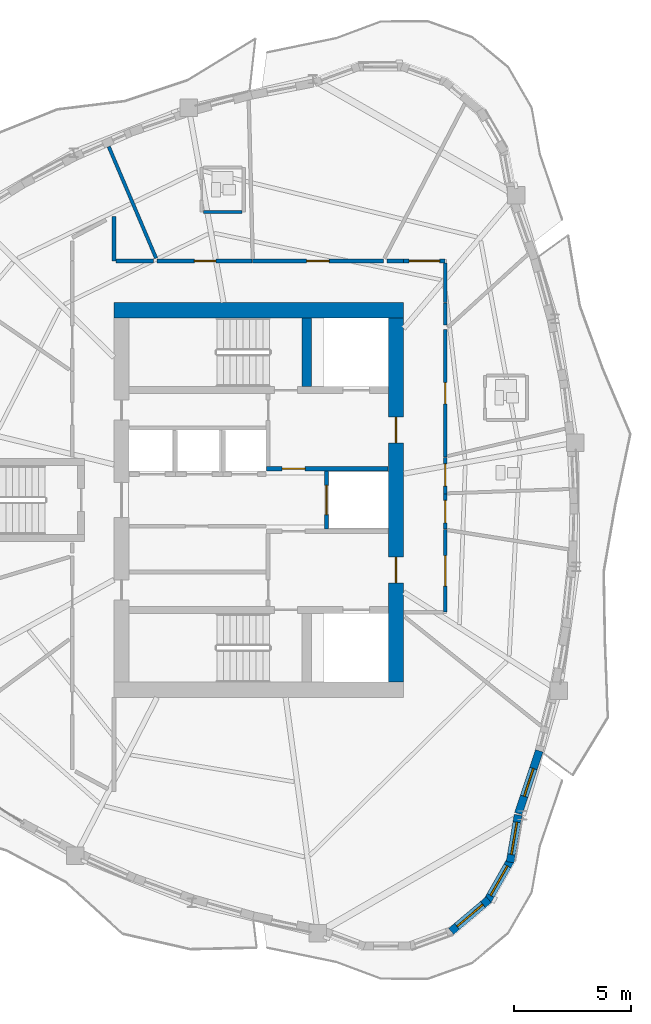
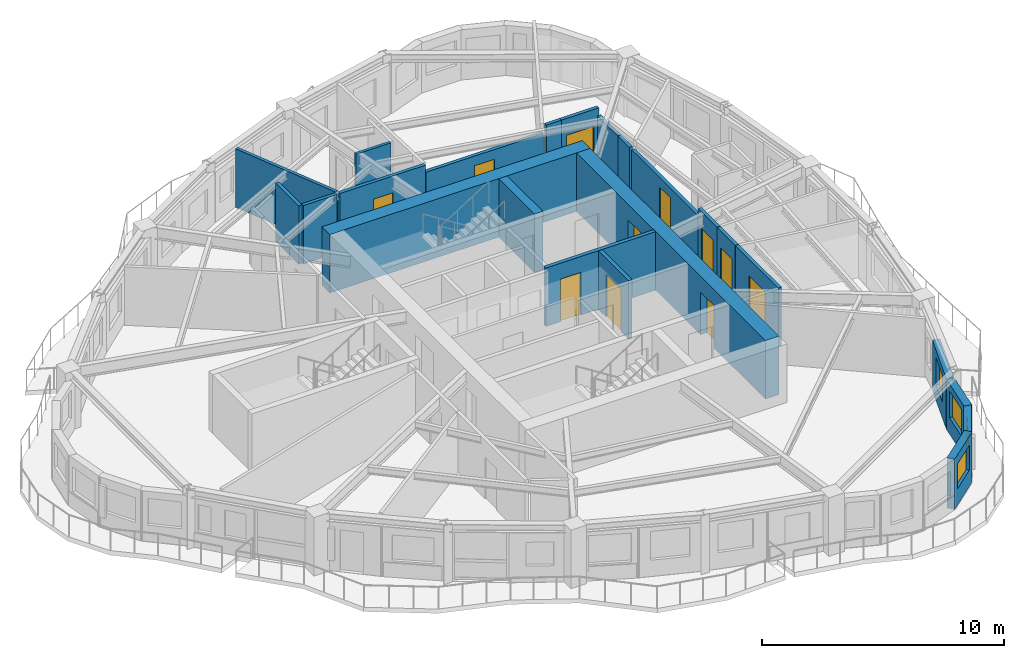
# One storey, part 7 of 13: 23 walls, 11 doors, 4 windows, 15 openings.
"""IFC4 building model written with IfcOpenShell, lengths in metres."""

from ifc_helpers import new_model, si_unit, direction, frame, frame_2d, origin, place, context, subcontext, project, spatial, rectangle, extrude, source, transform, mapped, material, layer, layer_set, type_object, element, fill, save


model = new_model("IFC4")

# Units and contexts
model_context = context("Model", 3, precision=1e-05, world=origin(), true_north=direction((0.0, 1.0)))
body_context = subcontext(model_context, "Body", "Model", "MODEL_VIEW")
ifc_project = project(units=[si_unit("LENGTHUNIT", "METRE"), si_unit("AREAUNIT", "SQUARE_METRE"), si_unit("VOLUMEUNIT", "CUBIC_METRE"), si_unit("PLANEANGLEUNIT", "RADIAN"), si_unit("MASSUNIT", "GRAM", prefix="KILO")], contexts=[model_context])

# Site, building, storey
site_placement = place(None, origin())
site = spatial("IfcSite", under=ifc_project, at=site_placement, CompositionType="ELEMENT")
building_placement = place(site_placement, origin())
building = spatial("IfcBuilding", under=site, at=building_placement, Name="Qafzar Sky-Pleat Residences", CompositionType="ELEMENT")
storey_placement = place(building_placement, frame((0.0, 0.0, 133.0)))
storey = spatial("IfcBuildingStorey", under=building, at=storey_placement, Name="L39", CompositionType="ELEMENT", Elevation=133.0)

# Wall, opening, door
ifc_material_1 = material(Name="Acoustic gypsum plasterboard partition", Category="gypsum")
ifc_layer_1 = layer(ifc_material_1, 0.159912109375)
ifc_layer_set_1 = layer_set([ifc_layer_1], Name="Acoustic gypsum plasterboard partition")
wall_type_1 = type_object("IfcWallType", Name="PART-COR-160", PredefinedType="PARTITIONING", material=ifc_layer_set_1)
wall_1_placement = place(storey_placement, frame((30.077880859375, 36.22998046875, 0.0), z_axis=(0.0, 0.0, 1.0), x_axis=(1.0, 0.0, 0.0)))
wall_1 = element("IfcWall", 1, at=wall_1_placement, inside=storey, type_object=wall_type_1, Name="L39 Partition Wall PART-L39-PW-002", PredefinedType="PARTITIONING", context=body_context, shape_type="SweptSolid", body=[
    extrude(rectangle(XDim=5.608154296875, YDim=0.159912109375, at=frame_2d((2.80419921875, 0.0))), origin(), (0.0, 0.0, 1.0), 2.587890625),
])
opening_1_placement = place(wall_1_placement, frame((2.322998046875, 0.0, 0.0)))
opening_1 = element("IfcOpeningElement", 2, at=opening_1_placement, cuts=wall_1, Name="Opening ID-06", PredefinedType="OPENING", context=body_context, shape_type="SweptSolid", body=[
    extrude(rectangle(XDim=0.9599609375, YDim=2.10009765625, at=frame_2d((0.47998046875, 1.050048828125))), frame((0.0, 0.08984375, 0.0), z_axis=(0.0, -1.0, 0.0), x_axis=(1.0, 0.0, 0.0)), (0.0, 0.0, 1.0), 0.179931640625),
])
ifc_material_2 = material(Name="Timber-faced fire door", Category="wood")
door_type_1 = type_object("IfcDoorType", Name="DR-STD-960", OperationType="NOTDEFINED", PredefinedType="DOOR", material=ifc_material_2)
shared_shape_1 = source(origin(), body_context, "Body", "SweptSolid", [
    extrude(rectangle(XDim=0.9599609375, YDim=2.10009765625, at=frame_2d((0.47998046875, 1.050048828125))), frame((0.0, 0.02490234375, 0.0), z_axis=(0.0, -1.0, 0.0), x_axis=(1.0, 0.0, 0.0)), (0.0, 0.0, 1.0), 0.050048828125),
])
door_1_placement = place(opening_1_placement, origin())
door_1 = element("IfcDoor", 3, at=door_1_placement, inside=storey, type_object=door_type_1, Name="L39 Reading Library Door", OperationType="SINGLE_SWING_RIGHT", OverallHeight=2.10009765625, OverallWidth=0.9599609375, PredefinedType="DOOR", context=body_context, shape_type="MappedRepresentation", body=[
    mapped(shared_shape_1, transform((0.0, 0.0, 0.0), x_axis=(1.0, 0.0, 0.0), y_axis=(0.0, 1.0, 0.0), z_axis=(0.0, 0.0, 1.0), scale=1.0)),
])
fill(opening_1, door_1)

wall_2_placement = place(storey_placement, frame((38.330078125, 33.302001953125, 0.0), z_axis=(0.0, 0.0, 1.0), x_axis=(0.0, -1.0, 0.0)))
wall_2 = element("IfcWall", 4, at=wall_2_placement, inside=storey, type_object=wall_type_1, Name="L39 Partition Wall PART-L39-PW-003", PredefinedType="PARTITIONING", context=body_context, shape_type="SweptSolid", body=[
    extrude(rectangle(XDim=5.4619140625, YDim=0.159912109375, at=frame_2d((2.73095703125, 0.0))), origin(), (0.0, 0.0, 1.0), 2.587890625),
])
opening_2_placement = place(wall_2_placement, frame((2.27294921875, 0.0, 0.0)))
opening_2 = element("IfcOpeningElement", 5, at=opening_2_placement, cuts=wall_2, Name="Opening ID-04", PredefinedType="OPENING", context=body_context, shape_type="SweptSolid", body=[
    extrude(rectangle(XDim=0.919921875, YDim=2.10009765625, at=frame_2d((0.4599609375, 1.050048828125))), frame((0.0, 0.08984375, 0.0), z_axis=(0.0, -1.0, 0.0), x_axis=(1.0, 0.0, 0.0)), (0.0, 0.0, 1.0), 0.179931640625),
])
door_type_2 = type_object("IfcDoorType", Name="DR-BED-920", OperationType="NOTDEFINED", PredefinedType="DOOR", material=ifc_material_2)
shared_shape_2 = source(origin(), body_context, "Body", "SweptSolid", [
    extrude(rectangle(XDim=0.919921875, YDim=2.10009765625, at=frame_2d((0.4599609375, 1.050048828125))), frame((0.0, 0.02490234375, 0.0), z_axis=(0.0, -1.0, 0.0), x_axis=(1.0, 0.0, 0.0)), (0.0, 0.0, 1.0), 0.050048828125),
])
door_2_placement = place(opening_2_placement, origin())
door_2 = element("IfcDoor", 6, at=door_2_placement, inside=storey, type_object=door_type_2, Name="L39 Co-Living Bedroom 1 Door", OperationType="SINGLE_SWING_LEFT", OverallHeight=2.10009765625, OverallWidth=0.919921875, PredefinedType="DOOR", context=body_context, shape_type="MappedRepresentation", body=[
    mapped(shared_shape_2, transform((0.0, 0.0, 0.0), x_axis=(1.0, 0.0, 0.0), y_axis=(0.0, 1.0, 0.0), z_axis=(0.0, 0.0, 1.0), scale=1.0)),
])
fill(opening_2, door_2)

wall_3_placement = place(storey_placement, frame((25.989990234375, 36.22998046875, 0.0), z_axis=(0.0, 0.0, 1.0), x_axis=(1.0, 0.0, 0.0)))
wall_3 = element("IfcWall", 7, at=wall_3_placement, inside=storey, type_object=wall_type_1, Name="L39 Partition Wall PART-L39-PW-004", PredefinedType="PARTITIONING", context=body_context, shape_type="SweptSolid", body=[
    extrude(rectangle(XDim=4.072998046875, YDim=0.159912109375, at=frame_2d((2.03662109375, 0.0))), origin(), (0.0, 0.0, 1.0), 2.949951171875),
])
opening_3_placement = place(wall_3_placement, frame((1.599609375, 0.0, 0.0)))
opening_3 = element("IfcOpeningElement", 8, at=opening_3_placement, cuts=wall_3, Name="Opening ID-04", PredefinedType="OPENING", context=body_context, shape_type="SweptSolid", body=[
    extrude(rectangle(XDim=0.919921875, YDim=2.10009765625, at=frame_2d((0.4599609375, 1.050048828125))), frame((0.0, 0.08984375, 0.0), z_axis=(0.0, -1.0, 0.0), x_axis=(1.0, 0.0, 0.0)), (0.0, 0.0, 1.0), 0.179931640625),
])
door_3_placement = place(opening_3_placement, origin())
door_3 = element("IfcDoor", 9, at=door_3_placement, inside=storey, type_object=door_type_2, Name="L39 Co-Living Bedroom 2 Door", OperationType="SINGLE_SWING_RIGHT", OverallHeight=2.10009765625, OverallWidth=0.919921875, PredefinedType="DOOR", context=body_context, shape_type="MappedRepresentation", body=[
    mapped(shared_shape_2, transform((0.0, 0.0, 0.0), x_axis=(1.0, 0.0, 0.0), y_axis=(0.0, 1.0, 0.0), z_axis=(0.0, 0.0, 1.0), scale=1.0)),
])
fill(opening_3, door_3)

wall_4_placement = place(storey_placement, frame((38.330078125, 24.7451171875, 0.0), z_axis=(0.0, 0.0, 1.0), x_axis=(0.0, -1.0, 0.0)))
wall_4 = element("IfcWall", 10, at=wall_4_placement, inside=storey, type_object=wall_type_1, Name="L39 Partition Wall PART-L39-PW-006", PredefinedType="PARTITIONING", context=body_context, shape_type="SweptSolid", body=[
    extrude(rectangle(XDim=3.545166015625, YDim=0.159912109375, at=frame_2d((1.7724609375, 0.0))), origin(), (0.0, 0.0, 1.0), 2.949951171875),
])
opening_4_placement = place(wall_4_placement, frame((1.1298828125, 0.0, 0.0)))
opening_4 = element("IfcOpeningElement", 11, at=opening_4_placement, cuts=wall_4, Name="Opening ID-05", PredefinedType="OPENING", context=body_context, shape_type="SweptSolid", body=[
    extrude(rectangle(XDim=1.300048828125, YDim=2.10009765625, at=frame_2d((0.64990234375, 1.050048828125))), frame((0.0, 0.08984375, 0.0), z_axis=(0.0, -1.0, 0.0), x_axis=(1.0, 0.0, 0.0)), (0.0, 0.0, 1.0), 0.179931640625),
])
door_type_3 = type_object("IfcDoorType", Name="DR-LNG-1300", OperationType="DOUBLE_DOOR_SINGLE_SWING", PredefinedType="DOOR", material=ifc_material_2)
shared_shape_3 = source(origin(), body_context, "Body", "SweptSolid", [
    extrude(rectangle(XDim=1.300048828125, YDim=2.10009765625, at=frame_2d((0.64990234375, 1.050048828125))), frame((0.0, 0.02490234375, 0.0), z_axis=(0.0, -1.0, 0.0), x_axis=(1.0, 0.0, 0.0)), (0.0, 0.0, 1.0), 0.050048828125),
])
door_4_placement = place(opening_4_placement, origin())
door_4 = element("IfcDoor", 12, at=door_4_placement, inside=storey, type_object=door_type_3, Name="L39 Co-Living Lounge Door", OperationType="DOUBLE_DOOR_SINGLE_SWING", OverallHeight=2.10009765625, OverallWidth=1.300048828125, PredefinedType="DOOR", context=body_context, shape_type="MappedRepresentation", body=[
    mapped(shared_shape_3, transform((0.0, 0.0, 0.0), x_axis=(1.0, 0.0, 0.0), y_axis=(0.0, 1.0, 0.0), z_axis=(0.0, 0.0, 1.0), scale=1.0)),
])
fill(opening_4, door_4)

wall_5_placement = place(storey_placement, frame((36.550048828125, 36.22998046875, 0.0), z_axis=(0.0, 0.0, 1.0), x_axis=(1.0, 0.0, 0.0)))
wall_5 = element("IfcWall", 13, at=wall_5_placement, inside=storey, type_object=wall_type_1, Name="L39 Partition Wall PART-L39-PW-011", PredefinedType="PARTITIONING", context=body_context, shape_type="SweptSolid", body=[
    extrude(rectangle(XDim=1.780029296875, YDim=0.159912109375, at=frame_2d((0.89013671875, 0.0))), origin(), (0.0, 0.0, 1.0), 2.949951171875),
])
opening_5_placement = place(wall_5_placement, frame((0.239990234375, 0.0, 0.0)))
opening_5 = element("IfcOpeningElement", 14, at=opening_5_placement, cuts=wall_5, Name="Opening ID-05", PredefinedType="OPENING", context=body_context, shape_type="SweptSolid", body=[
    extrude(rectangle(XDim=1.300048828125, YDim=2.10009765625, at=frame_2d((0.64990234375, 1.050048828125))), frame((0.0, 0.08984375, 0.0), z_axis=(0.0, -1.0, 0.0), x_axis=(1.0, 0.0, 0.0)), (0.0, 0.0, 1.0), 0.179931640625),
])
door_5_placement = place(opening_5_placement, origin())
door_5 = element("IfcDoor", 15, at=door_5_placement, inside=storey, type_object=door_type_3, Name="L39 Communal Kitchen Door", OperationType="DOUBLE_DOOR_SINGLE_SWING", OverallHeight=2.10009765625, OverallWidth=1.300048828125, PredefinedType="DOOR", context=body_context, shape_type="MappedRepresentation", body=[
    mapped(shared_shape_3, transform((0.0, 0.0, 0.0), x_axis=(1.0, 0.0, 0.0), y_axis=(0.0, 1.0, 0.0), z_axis=(0.0, 0.0, 1.0), scale=1.0)),
])
fill(opening_5, door_5)

wall_6_placement = place(storey_placement, frame((38.330078125, 27.824951171875, 0.0), z_axis=(0.0, 0.0, 1.0), x_axis=(0.0, -1.0, 0.0)))
wall_6 = element("IfcWall", 16, at=wall_6_placement, inside=storey, type_object=wall_type_1, Name="L39 Partition Wall PART-L39-PW-012", PredefinedType="PARTITIONING", context=body_context, shape_type="SweptSolid", body=[
    extrude(rectangle(XDim=1.557861328125, YDim=0.159912109375, at=frame_2d((0.77880859375, 0.0))), origin(), (0.0, 0.0, 1.0), 2.949951171875),
])
opening_6_placement = place(wall_6_placement, frame((0.281005859375, 0.0, 0.0)))
opening_6 = element("IfcOpeningElement", 17, at=opening_6_placement, cuts=wall_6, Name="Opening ID-08", PredefinedType="OPENING", context=body_context, shape_type="SweptSolid", body=[
    extrude(rectangle(XDim=0.949951171875, YDim=2.10009765625, at=frame_2d((0.47509765625, 1.050048828125))), frame((0.0, 0.08984375, 0.0), z_axis=(0.0, -1.0, 0.0), x_axis=(1.0, 0.0, 0.0)), (0.0, 0.0, 1.0), 0.179931640625),
])
door_type_4 = type_object("IfcDoorType", Name="DR-AWC-950", OperationType="NOTDEFINED", PredefinedType="DOOR", material=ifc_material_2)
shared_shape_4 = source(origin(), body_context, "Body", "SweptSolid", [
    extrude(rectangle(XDim=0.949951171875, YDim=2.10009765625, at=frame_2d((0.47509765625, 1.050048828125))), frame((0.0, 0.02490234375, 0.0), z_axis=(0.0, -1.0, 0.0), x_axis=(1.0, 0.0, 0.0)), (0.0, 0.0, 1.0), 0.050048828125),
])
door_6_placement = place(opening_6_placement, origin())
door_6 = element("IfcDoor", 18, at=door_6_placement, inside=storey, type_object=door_type_4, Name="L39 Accessible Shared Washroom Door", OperationType="SINGLE_SWING_RIGHT", OverallHeight=2.10009765625, OverallWidth=0.949951171875, PredefinedType="DOOR", context=body_context, shape_type="MappedRepresentation", body=[
    mapped(shared_shape_4, transform((0.0, 0.0, 0.0), x_axis=(1.0, 0.0, 0.0), y_axis=(0.0, 1.0, 0.0), z_axis=(0.0, 0.0, 1.0), scale=1.0)),
])
fill(opening_6, door_6)

wall_7_placement = place(storey_placement, frame((38.330078125, 26.251953125, 0.0), z_axis=(0.0, 0.0, 1.0), x_axis=(0.0, -1.0, 0.0)))
wall_7 = element("IfcWall", 19, at=wall_7_placement, inside=storey, type_object=wall_type_1, Name="L39 Partition Wall PART-L39-PW-013", PredefinedType="PARTITIONING", context=body_context, shape_type="SweptSolid", body=[
    extrude(rectangle(XDim=1.491943359375, YDim=0.159912109375, at=frame_2d((0.74609375, 0.0))), origin(), (0.0, 0.0, 1.0), 2.949951171875),
])
opening_7_placement = place(wall_7_placement, frame((0.26611328125, 0.0, 0.0)))
opening_7 = element("IfcOpeningElement", 20, at=opening_7_placement, cuts=wall_7, Name="Opening ID-06", PredefinedType="OPENING", context=body_context, shape_type="SweptSolid", body=[
    extrude(rectangle(XDim=0.9599609375, YDim=2.10009765625, at=frame_2d((0.47998046875, 1.050048828125))), frame((0.0, 0.08984375, 0.0), z_axis=(0.0, -1.0, 0.0), x_axis=(1.0, 0.0, 0.0)), (0.0, 0.0, 1.0), 0.179931640625),
])
door_7_placement = place(opening_7_placement, origin())
door_7 = element("IfcDoor", 21, at=door_7_placement, inside=storey, type_object=door_type_1, Name="L39 Scholar Study Room Door", OperationType="SINGLE_SWING_LEFT", OverallHeight=2.10009765625, OverallWidth=0.9599609375, PredefinedType="DOOR", context=body_context, shape_type="MappedRepresentation", body=[
    mapped(shared_shape_1, transform((0.0, 0.0, 0.0), x_axis=(1.0, 0.0, 0.0), y_axis=(0.0, 1.0, 0.0), z_axis=(0.0, 0.0, 1.0), scale=1.0)),
])
fill(opening_7, door_7)

# Walls
wall_8_placement = place(storey_placement, frame((24.14990234375, 36.22998046875, 0.0), z_axis=(0.0, 0.0, 1.0), x_axis=(0.0, 1.0, 0.0)))
element("IfcWall", 22, at=wall_8_placement, inside=storey, type_object=wall_type_1, Name="L39 Partition Wall PART-L39-PW-026", PredefinedType="PARTITIONING", context=body_context, shape_type="SweptSolid", body=[
    extrude(rectangle(XDim=1.906005859375, YDim=0.159912109375, at=frame_2d((0.953125, 0.0))), origin(), (0.0, 0.0, 1.0), 2.949951171875),
])
wall_9_placement = place(storey_placement, frame((24.238037109375, 36.22998046875, 0.0), z_axis=(0.0, 0.0, 1.0), x_axis=(1.0, 0.0, 0.0)))
element("IfcWall", 23, at=wall_9_placement, inside=storey, type_object=wall_type_1, Name="L39 Partition Wall PART-L39-PW-029", PredefinedType="PARTITIONING", context=body_context, shape_type="SweptSolid", body=[
    extrude(rectangle(XDim=1.6162109375, YDim=0.159912109375, at=frame_2d((0.80810546875, 0.0))), origin(), (0.0, 0.0, 1.0), 2.949951171875),
])
wall_10_placement = place(storey_placement, frame((38.330078125, 34.449951171875, 0.0), z_axis=(0.0, 0.0, 1.0), x_axis=(0.0, 1.0, 0.0)))
element("IfcWall", 24, at=wall_10_placement, inside=storey, type_object=wall_type_1, Name="L39 Partition Wall PART-L39-PW-035", PredefinedType="PARTITIONING", context=body_context, shape_type="SweptSolid", body=[
    extrude(rectangle(XDim=1.692138671875, YDim=0.159912109375, at=frame_2d((0.84619140625, 0.0))), origin(), (0.0, 0.0, 1.0), 2.587890625),
])
wall_11_placement = place(storey_placement, frame((38.330078125, 33.49609375, 0.0), z_axis=(0.0, 0.0, 1.0), x_axis=(0.0, 1.0, 0.0)))
element("IfcWall", 25, at=wall_11_placement, inside=storey, type_object=wall_type_1, Name="L39 Partition Wall PART-L39-PW-039", PredefinedType="PARTITIONING", context=body_context, shape_type="SweptSolid", body=[
    extrude(rectangle(XDim=0.93896484375, YDim=0.159912109375, at=frame_2d((0.469482421875, 0.0))), origin(), (0.0, 0.0, 1.0), 2.587890625),
])
wall_12_placement = place(storey_placement, frame((35.832275390625, 36.22998046875, 0.0), z_axis=(0.0, 0.0, 1.0), x_axis=(1.0, 0.0, 0.0)))
element("IfcWall", 26, at=wall_12_placement, inside=storey, type_object=wall_type_1, Name="L39 Partition Wall PART-L39-PW-041", PredefinedType="PARTITIONING", context=body_context, shape_type="SweptSolid", body=[
    extrude(rectangle(XDim=0.70263671875, YDim=0.159912109375, at=frame_2d((0.351318359375, 0.0))), origin(), (0.0, 0.0, 1.0), 2.949951171875),
])

# Wall, opening, door
ifc_material_3 = material(Name="Concrete blockwork partition", Category="masonry")
ifc_layer_2 = layer(ifc_material_3, 0.179931640625)
ifc_layer_set_2 = layer_set([ifc_layer_2], Name="Concrete blockwork partition")
wall_type_2 = type_object("IfcWallType", Name="PART-SHAFT-180", PredefinedType="PARTITIONING", material=ifc_layer_set_2)
wall_13_placement = place(storey_placement, frame((30.669921875, 27.340087890625, 0.0), z_axis=(0.0, 0.0, 1.0), x_axis=(1.0, 0.0, 0.0)))
wall_13 = element("IfcWall", 27, at=wall_13_placement, inside=storey, type_object=wall_type_2, Name="L39 Partition Wall PART-L39-FFL2-S", PredefinedType="PARTITIONING", context=body_context, shape_type="SweptSolid", body=[
    extrude(rectangle(XDim=5.219970703125, YDim=0.179931640625, at=frame_2d((2.60986328125, 0.0))), origin(), (0.0, 0.0, 1.0), 2.949951171875),
])
opening_8_placement = place(wall_13_placement, frame((0.679931640625, 0.0, 0.0)))
opening_8 = element("IfcOpeningElement", 28, at=opening_8_placement, cuts=wall_13, Name="Opening ID-01", PredefinedType="OPENING", context=body_context, shape_type="SweptSolid", body=[
    extrude(rectangle(XDim=0.97998046875, YDim=2.14990234375, at=frame_2d((0.489990234375, 1.074951171875))), frame((0.0, 0.10009765625, 0.0), z_axis=(0.0, -1.0, 0.0), x_axis=(1.0, 0.0, 0.0)), (0.0, 0.0, 1.0), 0.199951171875),
])
door_type_5 = type_object("IfcDoorType", Name="DR-STAIR-980", OperationType="NOTDEFINED", PredefinedType="DOOR", material=ifc_material_2)
shared_shape_5 = source(origin(), body_context, "Body", "SweptSolid", [
    extrude(rectangle(XDim=0.97998046875, YDim=2.14990234375, at=frame_2d((0.489990234375, 1.074951171875))), frame((0.0, 0.02490234375, 0.0), z_axis=(0.0, -1.0, 0.0), x_axis=(1.0, 0.0, 0.0)), (0.0, 0.0, 1.0), 0.050048828125),
])
door_8_placement = place(opening_8_placement, origin())
door_8 = element("IfcDoor", 29, at=door_8_placement, inside=storey, type_object=door_type_5, Name="L39 Lift Lobby to North Firefighting Lobby Door", OperationType="SINGLE_SWING_LEFT", OverallHeight=2.14990234375, OverallWidth=0.97998046875, PredefinedType="DOOR", context=body_context, shape_type="MappedRepresentation", body=[
    mapped(shared_shape_5, transform((0.0, 0.0, 0.0), x_axis=(1.0, 0.0, 0.0), y_axis=(0.0, 1.0, 0.0), z_axis=(0.0, 0.0, 1.0), scale=1.0)),
])
fill(opening_8, door_8)

wall_14_placement = place(storey_placement, frame((33.25, 24.760009765625, 0.0), z_axis=(0.0, 0.0, 1.0), x_axis=(0.0, 1.0, 0.0)))
wall_14 = element("IfcWall", 30, at=wall_14_placement, inside=storey, type_object=wall_type_2, Name="L39 Partition Wall PART-L39-SV1-W", PredefinedType="PARTITIONING", context=body_context, shape_type="SweptSolid", body=[
    extrude(rectangle(XDim=2.47998046875, YDim=0.179931640625, at=frame_2d((1.239990234375, 0.0))), origin(), (0.0, 0.0, 1.0), 2.949951171875),
])
opening_9_placement = place(wall_14_placement, frame((0.614990234375, 0.0, 0.0)))
opening_9 = element("IfcOpeningElement", 31, at=opening_9_placement, cuts=wall_14, Name="Opening LD-03", PredefinedType="OPENING", context=body_context, shape_type="SweptSolid", body=[
    extrude(rectangle(XDim=1.25, YDim=2.14990234375, at=frame_2d((0.625, 1.074951171875))), frame((0.0, 0.10009765625, 0.0), z_axis=(0.0, -1.0, 0.0), x_axis=(1.0, 0.0, 0.0)), (0.0, 0.0, 1.0), 0.199951171875),
])
ifc_material_4 = material(Name="Stainless steel sliding landing door", Category="steel")
door_type_6 = type_object("IfcDoorType", Name="DR-LIFT-SV", OperationType="DOUBLE_DOOR_SLIDING", PredefinedType="DOOR", material=ifc_material_4)
shared_shape_6 = source(origin(), body_context, "Body", "SweptSolid", [
    extrude(rectangle(XDim=1.25, YDim=2.14990234375, at=frame_2d((0.625, 1.074951171875))), frame((0.0, 0.02490234375, 0.0), z_axis=(0.0, -1.0, 0.0), x_axis=(1.0, 0.0, 0.0)), (0.0, 0.0, 1.0), 0.050048828125),
])
door_9_placement = place(opening_9_placement, origin())
door_9 = element("IfcDoor", 32, at=door_9_placement, inside=storey, type_object=door_type_6, Name="L39 Service Lift SV1 Landing Door", OperationType="DOUBLE_DOOR_SLIDING", OverallHeight=2.14990234375, OverallWidth=1.25, PredefinedType="DOOR", context=body_context, shape_type="MappedRepresentation", body=[
    mapped(shared_shape_6, transform((0.0, 0.0, 0.0), x_axis=(1.0, 0.0, 0.0), y_axis=(0.0, 1.0, 0.0), z_axis=(0.0, 0.0, 1.0), scale=1.0)),
])
fill(opening_9, door_9)

# Walls
ifc_layer_3 = layer(ifc_material_1, 0.14501953125)
ifc_layer_set_3 = layer_set([ifc_layer_3], Name="Acoustic gypsum plasterboard partition")
wall_type_3 = type_object("IfcWallType", Name="PART-UNIT-145", PredefinedType="PARTITIONING", material=ifc_layer_set_3)
wall_15_placement = place(storey_placement, frame((23.92724609375, 41.126953125, 0.0), z_axis=(0.0, 0.0, 1.0), x_axis=(0.39073452171, -0.920503413108, 0.0)))
element("IfcWall", 33, at=wall_15_placement, inside=storey, type_object=wall_type_3, Name="L39 Partition Wall PART-L39-PW-021", PredefinedType="PARTITIONING", context=body_context, shape_type="SweptSolid", body=[
    extrude(rectangle(XDim=5.194091796875, YDim=0.14501953125, at=frame_2d((2.59716796875, 0.0))), origin(), (0.0, 0.0, 1.0), 2.949951171875),
])
ifc_material_5 = material(Name="Moisture-resistant gypsum partition", Category="gypsum")
ifc_layer_4 = layer(ifc_material_5, 0.1298828125)
ifc_layer_set_4 = layer_set([ifc_layer_4], Name="Moisture-resistant gypsum partition")
wall_type_4 = type_object("IfcWallType", Name="PART-WET-130", PredefinedType="PARTITIONING", material=ifc_layer_set_4)
wall_16_placement = place(storey_placement, frame((27.97900390625, 38.324951171875, 0.0), z_axis=(0.0, 0.0, 1.0), x_axis=(1.0, 0.0, 0.0)))
element("IfcWall", 34, at=wall_16_placement, inside=storey, type_object=wall_type_4, Name="L39 Partition Wall PART-L39-PW-033", PredefinedType="PARTITIONING", context=body_context, shape_type="SweptSolid", body=[
    extrude(rectangle(XDim=1.654052734375, YDim=0.1298828125, at=frame_2d((0.8271484375, 0.0))), origin(), (0.0, 0.0, 1.0), 2.949951171875),
])

# Wall, opening, window
ifc_material_6 = material(Name="Precast concrete C40/50 with honed Riyadh limestone", Category="concrete")
ifc_layer_5 = layer(ifc_material_6, 0.340087890625)
ifc_layer_set_5 = layer_set([ifc_layer_5], Name="Precast concrete C40/50 with honed Riyadh limestone")
wall_type_5 = type_object("IfcWallType", Name="WALL-EXT-340", PredefinedType="SOLIDWALL", material=ifc_layer_set_5)
wall_17_placement = place(storey_placement, frame((38.582763671875, 7.53564453125, 0.0), z_axis=(0.0, 0.0, 1.0), x_axis=(0.76506129474, 0.643957463883, 0.0)))
wall_17 = element("IfcWall", 35, at=wall_17_placement, inside=storey, type_object=wall_type_5, Name="L39 Limestone Facade Wall 20", PredefinedType="SOLIDWALL", context=body_context, shape_type="SweptSolid", body=[
    extrude(rectangle(XDim=2.108642578125, YDim=0.340087890625, at=frame_2d((1.05419921875, 0.0))), origin(), (0.0, 0.0, 1.0), 2.530029296875),
])
opening_10_placement = place(wall_17_placement, frame((0.329345703125, 0.0, 0.820068359375)))
opening_10 = element("IfcOpeningElement", 36, at=opening_10_placement, cuts=wall_17, Name="Opening WN-15", PredefinedType="OPENING", context=body_context, shape_type="SweptSolid", body=[
    extrude(rectangle(XDim=1.449951171875, YDim=1.25, at=frame_2d((0.72509765625, 0.625))), frame((0.0, 0.18017578125, 0.0), z_axis=(0.0, -1.0, 0.0), x_axis=(1.0, 0.0, 0.0)), (0.0, 0.0, 1.0), 0.360107421875),
])
ifc_material_7 = material(Name="Solar-control low-E glass in bronze aluminium frame", Category="glass")
window_type_1 = type_object("IfcWindowType", Name="WIN-15", PartitioningType="SINGLE_PANEL", PredefinedType="WINDOW", material=ifc_material_7)
shared_shape_7 = source(origin(), body_context, "Body", "SweptSolid", [
    extrude(rectangle(XDim=1.449951171875, YDim=1.25, at=frame_2d((0.72509765625, 0.625))), frame((0.0, 0.030029296875, 0.0), z_axis=(0.0, -1.0, 0.0), x_axis=(1.0, 0.0, 0.0)), (0.0, 0.0, 1.0), 0.06005859375),
])
window_1_placement = place(opening_10_placement, origin())
window_1 = element("IfcWindow", 37, at=window_1_placement, inside=storey, type_object=window_type_1, Name="L39 Punched Facade Window 20", OverallHeight=1.25, OverallWidth=1.449951171875, PartitioningType="SINGLE_PANEL", PredefinedType="WINDOW", context=body_context, shape_type="MappedRepresentation", body=[
    mapped(shared_shape_7, transform((0.0, 0.0, 0.0), x_axis=(1.0, 0.0, 0.0), y_axis=(0.0, 1.0, 0.0), z_axis=(0.0, 0.0, 1.0), scale=1.0)),
])
fill(opening_10, window_1)

wall_18_placement = place(storey_placement, frame((40.10986328125, 8.790283203125, 0.0), z_axis=(0.0, 0.0, 1.0), x_axis=(0.495852152567, 0.868406956901, 0.0)))
wall_18 = element("IfcWall", 38, at=wall_18_placement, inside=storey, type_object=wall_type_5, Name="L39 Limestone Facade Wall 21", PredefinedType="SOLIDWALL", context=body_context, shape_type="SweptSolid", body=[
    extrude(rectangle(XDim=2.10888671875, YDim=0.340087890625, at=frame_2d((1.054443359375, 0.0))), origin(), (0.0, 0.0, 1.0), 2.530029296875),
])
opening_11_placement = place(wall_18_placement, frame((0.329345703125, 0.0, 0.820068359375)))
opening_11 = element("IfcOpeningElement", 39, at=opening_11_placement, cuts=wall_18, Name="Opening WN-15", PredefinedType="OPENING", context=body_context, shape_type="SweptSolid", body=[
    extrude(rectangle(XDim=1.449951171875, YDim=1.25, at=frame_2d((0.72509765625, 0.625))), frame((0.0, 0.18017578125, 0.0), z_axis=(0.0, -1.0, 0.0), x_axis=(1.0, 0.0, 0.0)), (0.0, 0.0, 1.0), 0.360107421875),
])
window_2_placement = place(opening_11_placement, origin())
window_2 = element("IfcWindow", 40, at=window_2_placement, inside=storey, type_object=window_type_1, Name="L39 Punched Facade Window 21", OverallHeight=1.25, OverallWidth=1.449951171875, PartitioningType="SINGLE_PANEL", PredefinedType="WINDOW", context=body_context, shape_type="MappedRepresentation", body=[
    mapped(shared_shape_7, transform((0.0, 0.0, 0.0), x_axis=(1.0, 0.0, 0.0), y_axis=(0.0, 1.0, 0.0), z_axis=(0.0, 0.0, 1.0), scale=1.0)),
])
fill(opening_11, window_2)

wall_19_placement = place(storey_placement, frame((41.1103515625, 10.4951171875, 0.0), z_axis=(0.0, 0.0, 1.0), x_axis=(0.165731018204, 0.9861709941, 0.0)))
wall_19 = element("IfcWall", 41, at=wall_19_placement, inside=storey, type_object=wall_type_5, Name="L39 Limestone Facade Wall 22", PredefinedType="SOLIDWALL", context=body_context, shape_type="SweptSolid", body=[
    extrude(rectangle(XDim=2.050537109375, YDim=0.340087890625, at=frame_2d((1.025390625, 0.0))), origin(), (0.0, 0.0, 1.0), 2.530029296875),
])
opening_12_placement = place(wall_19_placement, frame((0.335205078125, 0.0, 0.820068359375)))
opening_12 = element("IfcOpeningElement", 42, at=opening_12_placement, cuts=wall_19, Name="Opening WN-10", PredefinedType="OPENING", context=body_context, shape_type="SweptSolid", body=[
    extrude(rectangle(XDim=1.39990234375, YDim=1.35009765625, at=frame_2d((0.699951171875, 0.675048828125))), frame((0.0, 0.18017578125, 0.0), z_axis=(0.0, -1.0, 0.0), x_axis=(1.0, 0.0, 0.0)), (0.0, 0.0, 1.0), 0.360107421875),
])
window_type_2 = type_object("IfcWindowType", Name="WIN-10", PartitioningType="SINGLE_PANEL", PredefinedType="WINDOW", material=ifc_material_7)
shared_shape_8 = source(origin(), body_context, "Body", "SweptSolid", [
    extrude(rectangle(XDim=1.39990234375, YDim=1.35009765625, at=frame_2d((0.699951171875, 0.675048828125))), frame((0.0, 0.030029296875, 0.0), z_axis=(0.0, -1.0, 0.0), x_axis=(1.0, 0.0, 0.0)), (0.0, 0.0, 1.0), 0.06005859375),
])
window_3_placement = place(opening_12_placement, origin())
window_3 = element("IfcWindow", 43, at=window_3_placement, inside=storey, type_object=window_type_2, Name="L39 Punched Facade Window 22", OverallHeight=1.35009765625, OverallWidth=1.39990234375, PartitioningType="SINGLE_PANEL", PredefinedType="WINDOW", context=body_context, shape_type="MappedRepresentation", body=[
    mapped(shared_shape_8, transform((0.0, 0.0, 0.0), x_axis=(1.0, 0.0, 0.0), y_axis=(0.0, 1.0, 0.0), z_axis=(0.0, 0.0, 1.0), scale=1.0)),
])
fill(opening_12, window_3)

wall_20_placement = place(storey_placement, frame((41.466064453125, 12.581298828125, 0.0), z_axis=(0.0, 0.0, 1.0), x_axis=(0.314540836259, 0.949243942475, 0.0)))
wall_20 = element("IfcWall", 44, at=wall_20_placement, inside=storey, type_object=wall_type_5, Name="L39 Limestone Facade Wall 23", PredefinedType="SOLIDWALL", context=body_context, shape_type="SweptSolid", body=[
    extrude(rectangle(XDim=2.822998046875, YDim=0.340087890625, at=frame_2d((1.41162109375, 0.0))), origin(), (0.0, 0.0, 1.0), 2.530029296875),
])
opening_13_placement = place(wall_20_placement, frame((0.776611328125, 0.0, 0.820068359375)))
opening_13 = element("IfcOpeningElement", 45, at=opening_13_placement, cuts=wall_20, Name="Opening WN-11", PredefinedType="OPENING", context=body_context, shape_type="SweptSolid", body=[
    extrude(rectangle(XDim=1.25, YDim=1.35009765625, at=frame_2d((0.625, 0.675048828125))), frame((0.0, 0.18017578125, 0.0), z_axis=(0.0, -1.0, 0.0), x_axis=(1.0, 0.0, 0.0)), (0.0, 0.0, 1.0), 0.360107421875),
])
window_type_3 = type_object("IfcWindowType", Name="WIN-11", PartitioningType="SINGLE_PANEL", PredefinedType="WINDOW", material=ifc_material_7)
shared_shape_9 = source(origin(), body_context, "Body", "SweptSolid", [
    extrude(rectangle(XDim=1.25, YDim=1.35009765625, at=frame_2d((0.625, 0.675048828125))), frame((0.0, 0.030029296875, 0.0), z_axis=(0.0, -1.0, 0.0), x_axis=(1.0, 0.0, 0.0)), (0.0, 0.0, 1.0), 0.06005859375),
])
window_4_placement = place(opening_13_placement, origin())
window_4 = element("IfcWindow", 46, at=window_4_placement, inside=storey, type_object=window_type_3, Name="L39 Punched Facade Window 23", OverallHeight=1.35009765625, OverallWidth=1.25, PartitioningType="SINGLE_PANEL", PredefinedType="WINDOW", context=body_context, shape_type="MappedRepresentation", body=[
    mapped(shared_shape_9, transform((0.0, 0.0, 0.0), x_axis=(1.0, 0.0, 0.0), y_axis=(0.0, 1.0, 0.0), z_axis=(0.0, 0.0, 1.0), scale=1.0)),
])
fill(opening_13, window_4)

# Walls
ifc_material_8 = material(Name="Concrete C60/75", Category="concrete")
ifc_layer_6 = layer(ifc_material_8, 0.39990234375)
ifc_layer_set_6 = layer_set([ifc_layer_6], Name="Concrete C60/75")
wall_type_6 = type_object("IfcWallType", Name="WALL-SHEAR-400", PredefinedType="SHEAR", material=ifc_layer_set_6)
wall_21_placement = place(storey_placement, frame((32.39990234375, 30.85009765625, 0.0), z_axis=(0.0, 0.0, 1.0), x_axis=(0.0, 1.0, 0.0)))
element("IfcWall", 47, at=wall_21_placement, inside=storey, type_object=wall_type_6, Name="L39 Stair ST2 East Dividing Wall", PredefinedType="SHEAR", context=body_context, shape_type="SweptSolid", body=[
    extrude(rectangle(XDim=2.949951171875, YDim=0.39990234375, at=frame_2d((1.47509765625, 0.0))), origin(), (0.0, 0.0, 1.0), 2.949951171875),
])
ifc_layer_7 = layer(ifc_material_8, 0.64990234375)
ifc_layer_set_7 = layer_set([ifc_layer_7], Name="Concrete C60/75")
wall_type_7 = type_object("IfcWallType", Name="WALL-SHEAR-650", PredefinedType="SHEAR", material=ifc_layer_set_7)
wall_22_placement = place(storey_placement, frame((36.550048828125, 34.125, 0.0), z_axis=(0.0, 0.0, 1.0), x_axis=(-1.0, 0.0, 0.0)))
element("IfcWall", 48, at=wall_22_placement, inside=storey, type_object=wall_type_7, Name="L39 CORE wall N", PredefinedType="SHEAR", context=body_context, shape_type="SweptSolid", body=[
    extrude(rectangle(XDim=12.400146484375, YDim=0.64990234375, at=frame_2d((6.2001953125, 0.0))), origin(), (0.0, 0.0, 1.0), 2.949951171875),
])

# Wall, openings, doors
wall_23_placement = place(storey_placement, frame((36.22509765625, 18.199951171875, 0.0), z_axis=(0.0, 0.0, 1.0), x_axis=(0.0, 1.0, 0.0)))
wall_23 = element("IfcWall", 49, at=wall_23_placement, inside=storey, type_object=wall_type_7, Name="L39 CORE wall E", PredefinedType="SHEAR", context=body_context, shape_type="SweptSolid", body=[
    extrude(rectangle(XDim=15.60009765625, YDim=0.64990234375, at=frame_2d((7.800048828125, 0.0))), origin(), (0.0, 0.0, 1.0), 2.949951171875),
])
opening_14_placement = place(wall_23_placement, frame((4.25, 0.0, 0.0)))
opening_14 = element("IfcOpeningElement", 50, at=opening_14_placement, cuts=wall_23, Name="Opening ID-02", PredefinedType="OPENING", context=body_context, shape_type="SweptSolid", body=[
    extrude(rectangle(XDim=1.10009765625, YDim=2.14990234375, at=frame_2d((0.550048828125, 1.074951171875))), frame((0.0, 0.3349609375, 0.0), z_axis=(0.0, -1.0, 0.0), x_axis=(1.0, 0.0, 0.0)), (0.0, 0.0, 1.0), 0.669921875),
])
opening_15_placement = place(wall_23_placement, frame((10.25, 0.0, 0.0)))
opening_15 = element("IfcOpeningElement", 51, at=opening_15_placement, cuts=wall_23, Name="Opening ID-02", PredefinedType="OPENING", context=body_context, shape_type="SweptSolid", body=[
    extrude(rectangle(XDim=1.10009765625, YDim=2.14990234375, at=frame_2d((0.550048828125, 1.074951171875))), frame((0.0, 0.3349609375, 0.0), z_axis=(0.0, -1.0, 0.0), x_axis=(1.0, 0.0, 0.0)), (0.0, 0.0, 1.0), 0.669921875),
])
door_type_7 = type_object("IfcDoorType", Name="DR-FFL-1100", OperationType="NOTDEFINED", PredefinedType="DOOR", material=ifc_material_2)
shared_shape_10 = source(origin(), body_context, "Body", "SweptSolid", [
    extrude(rectangle(XDim=1.10009765625, YDim=2.14990234375, at=frame_2d((0.550048828125, 1.074951171875))), frame((0.0, 0.02490234375, 0.0), z_axis=(0.0, -1.0, 0.0), x_axis=(1.0, 0.0, 0.0)), (0.0, 0.0, 1.0), 0.050048828125),
])
door_10_placement = place(opening_14_placement, origin())
door_10 = element("IfcDoor", 52, at=door_10_placement, inside=storey, type_object=door_type_7, Name="L39 Firefighting Lobby South Corridor Door", OperationType="SINGLE_SWING_RIGHT", OverallHeight=2.14990234375, OverallWidth=1.10009765625, PredefinedType="DOOR", context=body_context, shape_type="MappedRepresentation", body=[
    mapped(shared_shape_10, transform((0.0, 0.0, 0.0), x_axis=(1.0, 0.0, 0.0), y_axis=(0.0, 1.0, 0.0), z_axis=(0.0, 0.0, 1.0), scale=1.0)),
])
fill(opening_14, door_10)
door_11_placement = place(opening_15_placement, origin())
door_11 = element("IfcDoor", 53, at=door_11_placement, inside=storey, type_object=door_type_7, Name="L39 Firefighting Lobby North Corridor Door", OperationType="SINGLE_SWING_LEFT", OverallHeight=2.14990234375, OverallWidth=1.10009765625, PredefinedType="DOOR", context=body_context, shape_type="MappedRepresentation", body=[
    mapped(shared_shape_10, transform((0.0, 0.0, 0.0), x_axis=(1.0, 0.0, 0.0), y_axis=(0.0, 1.0, 0.0), z_axis=(0.0, 0.0, 1.0), scale=1.0)),
])
fill(opening_15, door_11)

save(model, "model.ifc")
